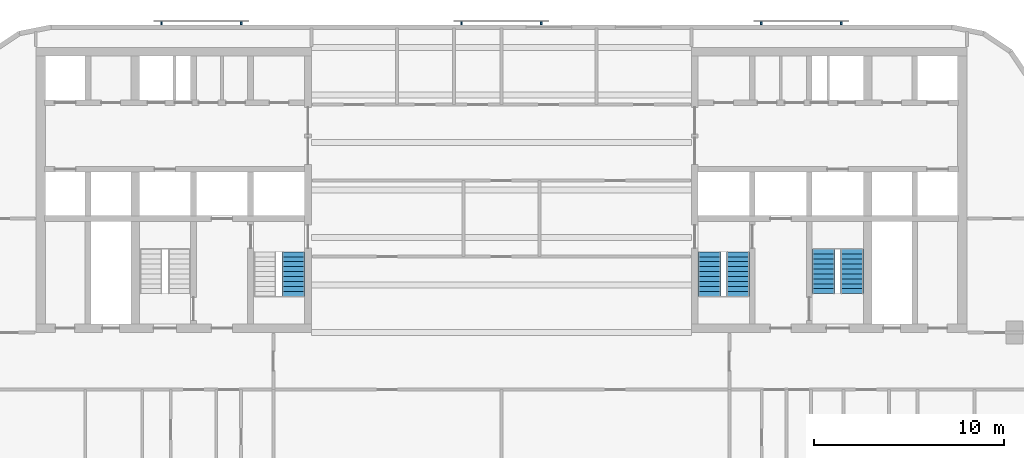
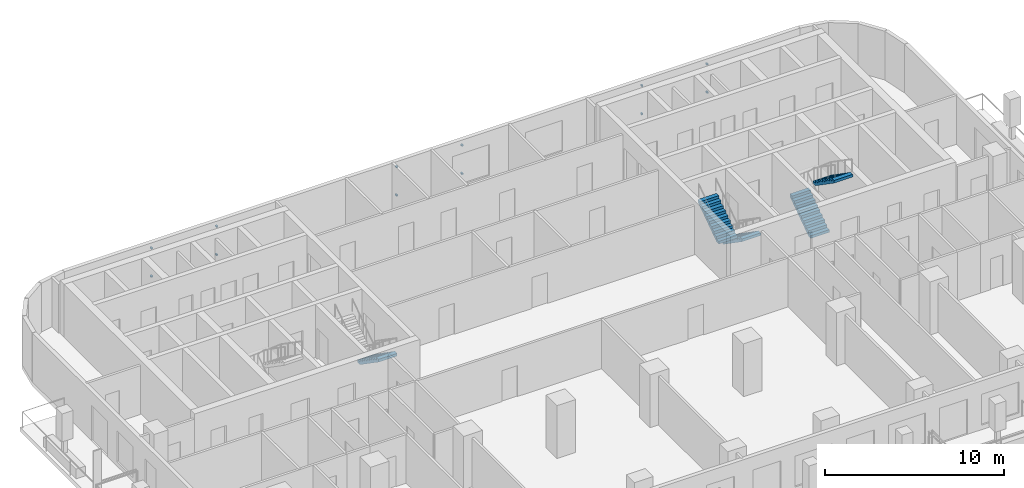
# One storey, part 8 of 11: 12 discrete accessories, 5 stair flights, 3 elements without a shape of their own.
"""IFC4 building model written with IfcOpenShell, lengths in metres."""

import ifcopenshell
import ifcopenshell.guid

model = None  # the IFC model being written
_history = None  # IfcOwnerHistory: only IFC2X3 demands one
_inside = {}  # id of a spatial element -> (the spatial element, [elements in it])
_under = {}  # id of a project, library or spatial element -> (it, [spatial elements below it])
_declared = {}  # id of a project -> (the project, [libraries it declares])
_typed = {}  # id of a type object -> (the type object, [elements of that type])
_made_of = {}  # id of a material, layer set ... -> (it, [elements and type objects made of it])


def new_model(schema):
    """Start an empty IFC model of exactly this schema.

    Asked for "IFC4X3", IfcOpenShell would pick the latest addendum, in which some entities
    have other attributes; the version numbers below select the first issue.
    IFC2X3 requires an IfcOwnerHistory on every rooted entity: one is made here for all.
    """
    global model, _history
    if schema == "IFC4X3":
        model = ifcopenshell.file(schema_version=(4, 3, 0, 0))
    else:
        model = ifcopenshell.file(schema=schema)
    _inside.clear()
    _under.clear()
    _declared.clear()
    _typed.clear()
    _made_of.clear()
    _history = None
    if model.schema == "IFC2X3":
        org = make("IfcOrganization", Name="unknown")
        user = make(
            "IfcPersonAndOrganization",
            ThePerson=make("IfcPerson", FamilyName="unknown"),
            TheOrganization=org,
        )
        app = make(
            "IfcApplication",
            ApplicationDeveloper=org,
            Version="unknown",
            ApplicationFullName="unknown",
            ApplicationIdentifier="unknown",
        )
        _history = make(
            "IfcOwnerHistory",
            OwningUser=user,
            OwningApplication=app,
            ChangeAction="ADDED",
            CreationDate=0,
        )
    return model


def make(cls, **values):
    """One entity of the class cls with the attributes given. An attribute that is None is left unset."""
    return model.create_entity(
        cls, **{name: value for name, value in values.items() if value is not None}
    )


def rooted(cls, **values):
    """An entity with a GlobalId (a new one), such as an element, a storey or a relation."""
    return make(cls, GlobalId=ifcopenshell.guid.new(), OwnerHistory=_history, **values)


def si_unit(unit_type, name, prefix=None):
    """IfcSIUnit, for example si_unit("LENGTHUNIT", "METRE", prefix="MILLI")."""
    return make("IfcSIUnit", UnitType=unit_type, Prefix=prefix, Name=name)


def assignment(units):
    """IfcUnitAssignment: the units of a project."""
    return None if units is None else make("IfcUnitAssignment", Units=units)


def point(xyz):
    """IfcCartesianPoint."""
    return None if xyz is None else make("IfcCartesianPoint", Coordinates=xyz)


def direction(xyz):
    """IfcDirection."""
    return None if xyz is None else make("IfcDirection", DirectionRatios=xyz)


def frame(location, z_axis=None, x_axis=None):
    """IfcAxis2Placement3D, a coordinate frame: its origin and axes. An axis left out is left unset."""
    return make(
        "IfcAxis2Placement3D",
        Location=point(location),
        Axis=direction(z_axis),
        RefDirection=direction(x_axis),
    )


def frame_2d(location, x_axis=None):
    """IfcAxis2Placement2D, a coordinate frame in the plane: its origin and x axis."""
    return make(
        "IfcAxis2Placement2D", Location=point(location), RefDirection=direction(x_axis)
    )


def origin():
    """The frame at (0, 0, 0) with its axes left unset."""
    return frame((0.0, 0.0, 0.0))


def origin_2d():
    """The frame at (0, 0) in the plane with its x axis left unset."""
    return frame_2d((0.0, 0.0))


def place(relative_to, where):
    """IfcLocalPlacement: puts the frame where relative to a parent placement (None: the world)."""
    return make(
        "IfcLocalPlacement", PlacementRelTo=relative_to, RelativePlacement=where
    )


def context(
    kind, dimensions, precision=None, world=None, true_north=None, identifier=None
):
    """IfcGeometricRepresentationContext, for example the 3D "Model" context."""
    return make(
        "IfcGeometricRepresentationContext",
        ContextIdentifier=identifier,
        ContextType=kind,
        CoordinateSpaceDimension=dimensions,
        Precision=precision,
        WorldCoordinateSystem=world,
        TrueNorth=true_north,
    )


def subcontext(parent, identifier, kind, view, scale=None):
    """IfcGeometricRepresentationSubContext, for example "Body" below "Model"."""
    return make(
        "IfcGeometricRepresentationSubContext",
        ContextIdentifier=identifier,
        ContextType=kind,
        ParentContext=parent,
        TargetScale=scale,
        TargetView=view,
    )


def project(units=None, contexts=None):
    """IfcProject with its units and contexts."""
    return rooted(
        "IfcProject",
        Name="project",
        RepresentationContexts=contexts,
        UnitsInContext=assignment(units),
    )


def spatial(cls, under=None, at=None, **own):
    """A site, building, storey or space (cls), placed at a placement, below another one or the project."""
    s = rooted(cls, ObjectPlacement=at, **own)
    if under is not None:
        _under.setdefault(under.id(), (under, []))[1].append(s)
    return s


def polyline(points):
    """IfcPolyline through the points."""
    return make("IfcPolyline", Points=[point(p) for p in points])


def profile(cls, at=None, kind="AREA", **sizes):
    """A parametric profile (cls). Its sizes go by their IFC names, for example OverallWidth=200.0."""
    return make(cls, ProfileType=kind, Position=at, **sizes)


def rectangle(**sizes):
    """IfcRectangleProfileDef."""
    return profile("IfcRectangleProfileDef", **sizes)


def outline(outer, holes=None, kind="AREA"):
    """IfcArbitraryClosedProfileDef: a profile drawn as a closed curve; with holes, ...WithVoids."""
    if holes is None:
        return make("IfcArbitraryClosedProfileDef", ProfileType=kind, OuterCurve=outer)
    return make(
        "IfcArbitraryProfileDefWithVoids",
        ProfileType=kind,
        OuterCurve=outer,
        InnerCurves=holes,
    )


def extrude(swept, where, along, depth):
    """IfcExtrudedAreaSolid: the profile swept, set in the frame where, extruded along a direction by depth."""
    return make(
        "IfcExtrudedAreaSolid",
        SweptArea=swept,
        Position=where,
        ExtrudedDirection=direction(along),
        Depth=depth,
    )


def shape(context_of_items, identifier, shape_type, items):
    """IfcShapeRepresentation: the items that make up one representation, for example the "Body"."""
    return make(
        "IfcShapeRepresentation",
        ContextOfItems=context_of_items,
        RepresentationIdentifier=identifier,
        RepresentationType=shape_type,
        Items=items,
    )


def material(Name=None, Category=None):
    """IfcMaterial."""
    return make("IfcMaterial", Name=Name, Category=Category)


def made_of(thing, what):
    """Note that an element or type object is made of a material, layer set ...; save() writes the relation."""
    if what is not None:
        _made_of.setdefault(what.id(), (what, []))[1].append(thing)
    return thing


def type_object(cls, material=None, **own):
    """A type object (cls), such as IfcWallType, which elements share."""
    return made_of(rooted(cls, **own), material)


def element(
    cls,
    number,
    at=None,
    inside=None,
    cuts=None,
    type_object=None,
    material=None,
    context=None,
    identifier="Body",
    shape_type=None,
    held_by="IfcProductDefinitionShape",
    body=None,
    shapes=None,
    **own,
):
    """One element of the class cls, such as IfcWall. Its Tag is "e" and its number.

    at: its placement. inside: the storey or other place that contains it. cuts: it is an
    opening in that element (IfcRelVoidsElement). A single representation is given by context,
    identifier, shape_type and body (its items); several are given by shapes. held_by: the class
    of the entity that holds the representations. save() writes the other relations.
    """
    e = rooted(cls, Tag="e%d" % number, ObjectPlacement=at, **own)
    if body is not None:
        shapes = [shape(context, identifier, shape_type, body)]
    if shapes is not None:
        e.Representation = make(held_by, Representations=shapes)
    if inside is not None:
        _inside.setdefault(inside.id(), (inside, []))[1].append(e)
    if cuts is not None:
        rooted(
            "IfcRelVoidsElement", RelatingBuildingElement=cuts, RelatedOpeningElement=e
        )
    if type_object is not None:
        _typed.setdefault(type_object.id(), (type_object, []))[1].append(e)
    return made_of(e, material)


def aggregate(whole, parts):
    """IfcRelAggregates: a whole, such as a stair, and the parts it consists of."""
    return rooted("IfcRelAggregates", RelatingObject=whole, RelatedObjects=parts)


def save(model, path):
    """Write the relations noted so far, then the file.

    IfcRelAggregates (storeys below a building ...), IfcRelContainedInSpatialStructure (elements
    in a storey), IfcRelDefinesByType, IfcRelAssociatesMaterial and IfcRelDeclares: one each for
    every whole, place, type object, material and project.
    """
    for whole, parts in _under.values():
        aggregate(whole, parts)
    for where, things in _inside.values():
        rooted(
            "IfcRelContainedInSpatialStructure",
            RelatedElements=things,
            RelatingStructure=where,
        )
    for kind, things in _typed.values():
        rooted("IfcRelDefinesByType", RelatedObjects=things, RelatingType=kind)
    for what, things in _made_of.values():
        rooted("IfcRelAssociatesMaterial", RelatedObjects=things, RelatingMaterial=what)
    for by, libraries in _declared.values():
        rooted("IfcRelDeclares", RelatingContext=by, RelatedDefinitions=libraries)
    model.write(path)


model = new_model("IFC4")

# Units and contexts
model_context = context("Model", 3, precision=1e-05, world=origin(), true_north=direction((0.0, 1.0)))
body_context = subcontext(model_context, "Body", "Model", "MODEL_VIEW")
ifc_project = project(units=[si_unit("LENGTHUNIT", "METRE"), si_unit("AREAUNIT", "SQUARE_METRE"), si_unit("VOLUMEUNIT", "CUBIC_METRE"), si_unit("PLANEANGLEUNIT", "RADIAN"), si_unit("MASSUNIT", "GRAM", prefix="KILO")], contexts=[model_context])

# Site, building, storey
site_placement = place(None, origin())
site = spatial("IfcSite", under=ifc_project, at=site_placement, CompositionType="ELEMENT")
building_placement = place(site_placement, origin())
building = spatial("IfcBuilding", under=site, at=building_placement, Name="Torana Hotel and Residences", CompositionType="ELEMENT")
storey_placement = place(building_placement, frame((0.0, 0.0, 123.60009765625)))
storey = spatial("IfcBuildingStorey", under=building, at=storey_placement, Name="L31", CompositionType="ELEMENT", Elevation=123.60009765625)

# Stair, stair flight
ifc_material_1 = material(Name="Concrete C40/50 precast", Category="concrete")
stair_type_1 = type_object("IfcStairType", Name="STAIR ST1 HALF TURN 1200", PredefinedType="HALF_TURN_STAIR", material=ifc_material_1)
stair_1_placement = place(storey_placement, origin())
stair_1 = element("IfcStair", 1, at=stair_1_placement, inside=storey, type_object=stair_type_1, Name="Stair ST1 L31", PredefinedType="HALF_TURN_STAIR")
ifc_material_2 = material(Name="Concrete C40/50 precast", Category="concrete")
stair_flight_type = type_object("IfcStairFlightType", Name="STAIR FLIGHT 1200 PRECAST", PredefinedType="STRAIGHT", material=ifc_material_2)
stair_flight_1_placement = place(storey_placement, frame((-10.949951171875, -10.75, 0.0), z_axis=(0.0, 0.0, 1.0), x_axis=(0.0, -1.0, 0.0)))
stair_flight_1 = element("IfcStairFlight", 2, at=stair_flight_1_placement, type_object=stair_flight_type, Name="ST1 flight 1", NumberOfRisers=10, NumberOfTreads=9, PredefinedType="STRAIGHT", RiserHeight=0.18, TreadLength=0.26, context=body_context, shape_type="SweptSolid", body=[
    extrude(outline(polyline([(0.0, 0.0), (0.0, 0.179931640625), (0.260009765625, 0.179931640625), (0.260009765625, 0.360107421875), (0.52001953125, 0.360107421875), (0.52001953125, 0.5400390625), (0.780029296875, 0.5400390625), (0.780029296875, 0.719970703125), (1.0400390625, 0.719970703125), (1.0400390625, 0.89990234375), (1.300048828125, 0.89990234375), (1.300048828125, 1.080078125), (1.56005859375, 1.080078125), (1.56005859375, 1.260009765625), (1.820068359375, 1.260009765625), (1.820068359375, 1.43994140625), (2.080078125, 1.43994140625), (2.080078125, 1.6201171875), (2.340087890625, 1.6201171875), (2.340087890625, 1.800048828125), (2.340087890625, 1.437744140625), (0.263427734375, 0.0), (0.0, 0.0)])), frame((0.0, 0.60009765625, 0.0), z_axis=(0.0, -1.0, 0.0), x_axis=(1.0, 0.0, 0.0)), (0.0, 0.0, 1.0), 1.199951171875),
])
aggregate(stair_1, [stair_flight_1])

# Stair, stair flights
ifc_material_3 = material(Name="Concrete C40/50 precast", Category="concrete")
stair_type_2 = type_object("IfcStairType", Name="STAIR ST3 HALF TURN 1200", PredefinedType="HALF_TURN_STAIR", material=ifc_material_3)
stair_2_placement = place(storey_placement, origin())
stair_2 = element("IfcStair", 3, at=stair_2_placement, inside=storey, type_object=stair_type_2, Name="Stair ST3 L31", PredefinedType="HALF_TURN_STAIR")
stair_flight_2_placement = place(storey_placement, frame((12.449951171875, -10.75, 0.0), z_axis=(0.0, 0.0, 1.0), x_axis=(0.0, -1.0, 0.0)))
stair_flight_2 = element("IfcStairFlight", 4, at=stair_flight_2_placement, type_object=stair_flight_type, Name="ST3 flight 1", NumberOfRisers=10, NumberOfTreads=9, PredefinedType="STRAIGHT", RiserHeight=0.18, TreadLength=0.26, context=body_context, shape_type="SweptSolid", body=[
    extrude(outline(polyline([(0.0, 0.0), (0.0, 0.179931640625), (0.260009765625, 0.179931640625), (0.260009765625, 0.360107421875), (0.52001953125, 0.360107421875), (0.52001953125, 0.5400390625), (0.780029296875, 0.5400390625), (0.780029296875, 0.719970703125), (1.0400390625, 0.719970703125), (1.0400390625, 0.89990234375), (1.300048828125, 0.89990234375), (1.300048828125, 1.080078125), (1.56005859375, 1.080078125), (1.56005859375, 1.260009765625), (1.820068359375, 1.260009765625), (1.820068359375, 1.43994140625), (2.080078125, 1.43994140625), (2.080078125, 1.6201171875), (2.340087890625, 1.6201171875), (2.340087890625, 1.800048828125), (2.340087890625, 1.437744140625), (0.263427734375, 0.0), (0.0, 0.0)])), frame((0.0, 0.60009765625, 0.0), z_axis=(0.0, -1.0, 0.0), x_axis=(1.0, 0.0, 0.0)), (0.0, 0.0, 1.0), 1.199951171875),
])
stair_flight_3_placement = place(storey_placement, frame((10.949951171875, -13.090087890625, 1.7998046875), z_axis=(0.0, 0.0, 1.0), x_axis=(0.0, 1.0, 0.0)))
stair_flight_3 = element("IfcStairFlight", 5, at=stair_flight_3_placement, type_object=stair_flight_type, Name="ST3 flight 2", NumberOfRisers=10, NumberOfTreads=9, PredefinedType="STRAIGHT", RiserHeight=0.18, TreadLength=0.26, context=body_context, shape_type="SweptSolid", body=[
    extrude(outline(polyline([(0.0, 0.0), (0.0, 0.179931640625), (0.260009765625, 0.179931640625), (0.260009765625, 0.360107421875), (0.52001953125, 0.360107421875), (0.52001953125, 0.5400390625), (0.780029296875, 0.5400390625), (0.780029296875, 0.719970703125), (1.0400390625, 0.719970703125), (1.0400390625, 0.89990234375), (1.300048828125, 0.89990234375), (1.300048828125, 1.080078125), (1.56005859375, 1.080078125), (1.56005859375, 1.260009765625), (1.820068359375, 1.260009765625), (1.820068359375, 1.43994140625), (2.080078125, 1.43994140625), (2.080078125, 1.6201171875), (2.340087890625, 1.6201171875), (2.340087890625, 1.800048828125), (2.340087890625, 1.437744140625), (0.263427734375, 0.0), (0.0, 0.0)])), frame((0.0, 0.60009765625, 0.0), z_axis=(0.0, -1.0, 0.0), x_axis=(1.0, 0.0, 0.0)), (0.0, 0.0, 1.0), 1.199951171875),
])
aggregate(stair_2, [stair_flight_2, stair_flight_3])

ifc_material_4 = material(Name="Concrete C40/50 precast", Category="concrete")
stair_type_3 = type_object("IfcStairType", Name="STAIR ST4 HALF TURN 1200", PredefinedType="HALF_TURN_STAIR", material=ifc_material_4)
stair_3_placement = place(storey_placement, origin())
stair_3 = element("IfcStair", 6, at=stair_3_placement, inside=storey, type_object=stair_type_3, Name="Stair ST4 L31", PredefinedType="HALF_TURN_STAIR")
stair_flight_4_placement = place(storey_placement, frame((16.949951171875, -12.949951171875, 0.0), z_axis=(0.0, 0.0, 1.0), x_axis=(0.0, 1.0, 0.0)))
stair_flight_4 = element("IfcStairFlight", 7, at=stair_flight_4_placement, type_object=stair_flight_type, Name="ST4 flight 1", NumberOfRisers=10, NumberOfTreads=9, PredefinedType="STRAIGHT", RiserHeight=0.18, TreadLength=0.26, context=body_context, shape_type="SweptSolid", body=[
    extrude(outline(polyline([(0.0, 0.0), (0.0, 0.179931640625), (0.260009765625, 0.179931640625), (0.260009765625, 0.360107421875), (0.52001953125, 0.360107421875), (0.52001953125, 0.5400390625), (0.780029296875, 0.5400390625), (0.780029296875, 0.719970703125), (1.0400390625, 0.719970703125), (1.0400390625, 0.89990234375), (1.300048828125, 0.89990234375), (1.300048828125, 1.080078125), (1.56005859375, 1.080078125), (1.56005859375, 1.260009765625), (1.820068359375, 1.260009765625), (1.820068359375, 1.43994140625), (2.080078125, 1.43994140625), (2.080078125, 1.6201171875), (2.340087890625, 1.6201171875), (2.340087890625, 1.800048828125), (2.340087890625, 1.437744140625), (0.263427734375, 0.0), (0.0, 0.0)])), frame((0.0, 0.60009765625, 0.0), z_axis=(0.0, -1.0, 0.0), x_axis=(1.0, 0.0, 0.0)), (0.0, 0.0, 1.0), 1.199951171875),
])
stair_flight_5_placement = place(storey_placement, frame((18.449951171875, -10.610107421875, 1.7998046875), z_axis=(0.0, 0.0, 1.0), x_axis=(0.0, -1.0, 0.0)))
stair_flight_5 = element("IfcStairFlight", 8, at=stair_flight_5_placement, type_object=stair_flight_type, Name="ST4 flight 2", NumberOfRisers=10, NumberOfTreads=9, PredefinedType="STRAIGHT", RiserHeight=0.18, TreadLength=0.26, context=body_context, shape_type="SweptSolid", body=[
    extrude(outline(polyline([(0.0, 0.0), (0.0, 0.179931640625), (0.260009765625, 0.179931640625), (0.260009765625, 0.360107421875), (0.52001953125, 0.360107421875), (0.52001953125, 0.5400390625), (0.780029296875, 0.5400390625), (0.780029296875, 0.719970703125), (1.0400390625, 0.719970703125), (1.0400390625, 0.89990234375), (1.300048828125, 0.89990234375), (1.300048828125, 1.080078125), (1.56005859375, 1.080078125), (1.56005859375, 1.260009765625), (1.820068359375, 1.260009765625), (1.820068359375, 1.43994140625), (2.080078125, 1.43994140625), (2.080078125, 1.6201171875), (2.340087890625, 1.6201171875), (2.340087890625, 1.800048828125), (2.340087890625, 1.437744140625), (0.263427734375, 0.0), (0.0, 0.0)])), frame((0.0, 0.60009765625, 0.0), z_axis=(0.0, -1.0, 0.0), x_axis=(1.0, 0.0, 0.0)), (0.0, 0.0, 1.0), 1.199951171875),
])
aggregate(stair_3, [stair_flight_4, stair_flight_5])

# Discrete accessories
ifc_material_5 = material(Name="Steel S355", Category="steel")
discrete_accessory_type = type_object("IfcDiscreteAccessoryType", Name="SCREEN BRACKET 100", PredefinedType="BRACKET", material=ifc_material_5)
for number, where, z_axis, x_axis, name in (
    (9, (17.883544921875, 1.27490234375, 0.749755859375), (0.0, 0.0, 1.0), (-1.0, 0.0, 0.0), "Screen bracket L31"),
    (10, (17.883544921875, 1.27490234375, 2.669921875), (0.0, 0.0, 1.0), (-1.0, 0.0, 0.0), "Screen bracket L31"),
    (11, (13.68359375, 1.27490234375, 0.749755859375), (0.0, 0.0, 1.0), (-1.0, 0.0, 0.0), "Screen bracket L31"),
    (12, (13.68359375, 1.27490234375, 2.669921875), (0.0, 0.0, 1.0), (-1.0, 0.0, 0.0), "Screen bracket L31"),
    (13, (2.10009765625, 1.27490234375, 0.749755859375), (0.0, 0.0, 1.0), (-1.0, 0.0, 0.0), "Screen bracket L31"),
    (14, (2.10009765625, 1.27490234375, 2.669921875), (0.0, 0.0, 1.0), (-1.0, 0.0, 0.0), "Screen bracket L31"),
    (15, (-2.10009765625, 1.27490234375, 0.749755859375), (0.0, 0.0, 1.0), (-1.0, 0.0, 0.0), "Screen bracket L31"),
    (16, (-2.10009765625, 1.27490234375, 2.669921875), (0.0, 0.0, 1.0), (-1.0, 0.0, 0.0), "Screen bracket L31"),
    (17, (-13.68359375, 1.27490234375, 0.749755859375), (0.0, 0.0, 1.0), (-1.0, 0.0, 0.0), "Screen bracket L31"),
    (18, (-13.68359375, 1.27490234375, 2.669921875), (0.0, 0.0, 1.0), (-1.0, 0.0, 0.0), "Screen bracket L31"),
    (19, (-17.883544921875, 1.27490234375, 0.749755859375), (0.0, 0.0, 1.0), (-1.0, 0.0, 0.0), "Screen bracket L31"),
    (20, (-17.883544921875, 1.27490234375, 2.669921875), (0.0, 0.0, 1.0), (-1.0, 0.0, 0.0), "Screen bracket L31"),
):
    element("IfcDiscreteAccessory", number, at=place(storey_placement, frame(where, z_axis=z_axis, x_axis=x_axis)), inside=storey, type_object=discrete_accessory_type, Name=name, PredefinedType="BRACKET", context=body_context, shape_type="SweptSolid", body=[
        extrude(rectangle(XDim=0.10009765625, YDim=0.14990234375, at=origin_2d()), origin(), (0.0, 0.0, 1.0), 0.10009765625),
    ])

save(model, "model.ifc")
